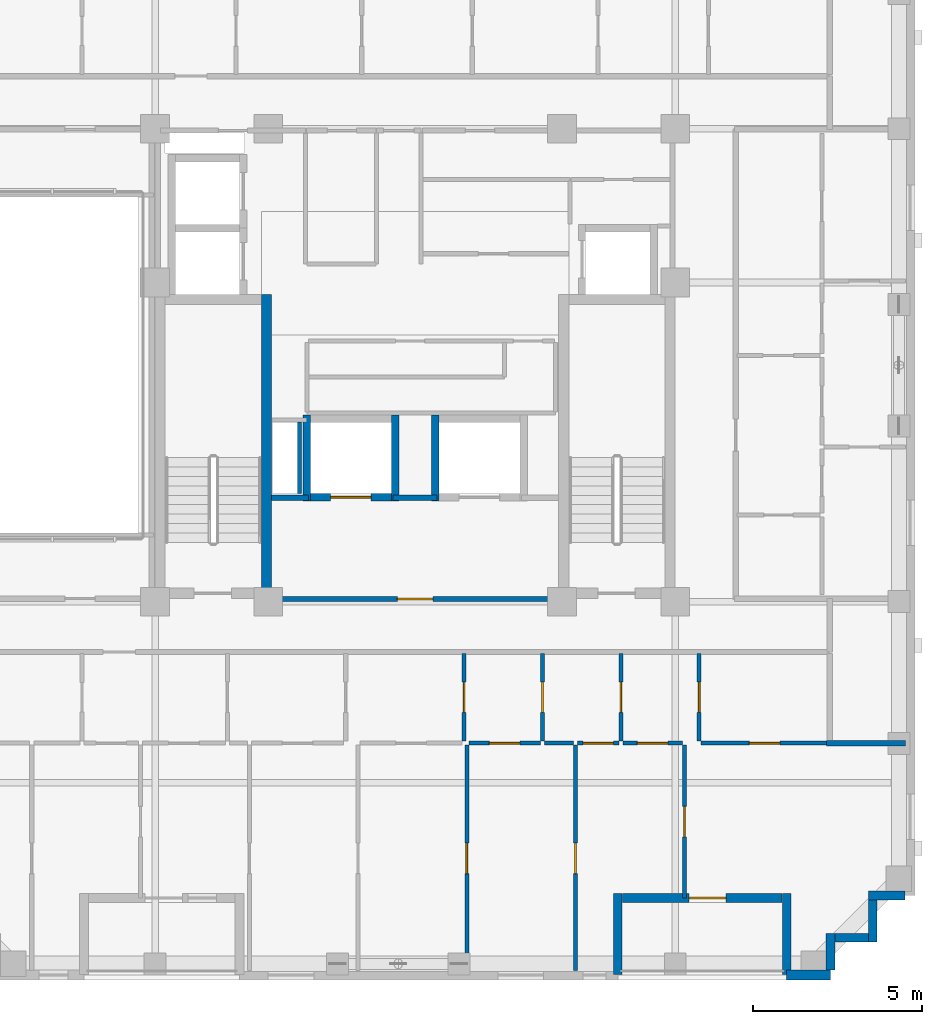
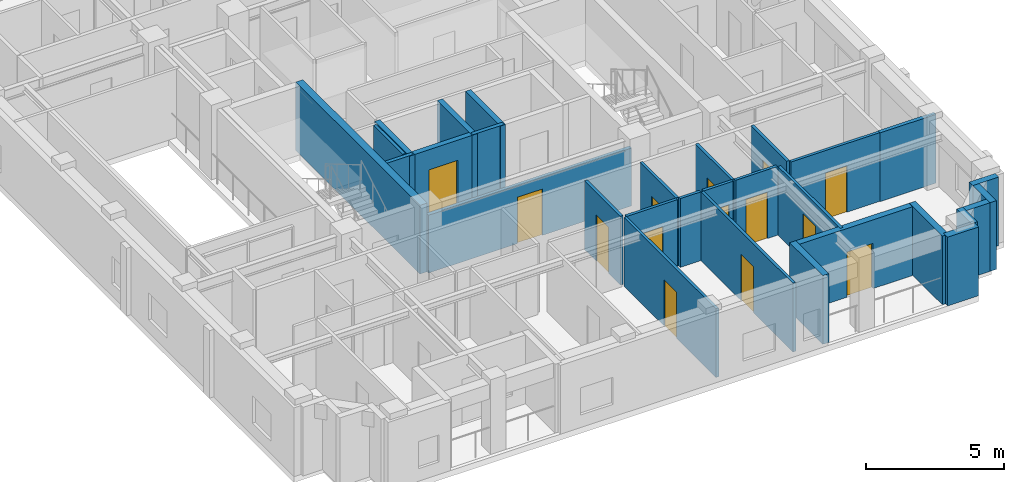
# One storey, part 5 of 13: 30 walls, 14 doors, 14 openings.
"""IFC4 building model written with IfcOpenShell, lengths in metres."""

from ifc_helpers import new_model, si_unit, derived_unit, direction, frame, frame_2d, origin, place, context, subcontext, project, spatial, rectangle, extrude, material, layer, layer_set, type_object, element, fill, save


model = new_model("IFC4")

# Units and contexts
model_context = context("Model", 3, precision=1e-05, world=origin(), true_north=direction((0.0, 1.0)))
body_context = subcontext(model_context, "Body", "Model", "MODEL_VIEW")
ifc_project = project(units=[si_unit("LENGTHUNIT", "METRE"), si_unit("AREAUNIT", "SQUARE_METRE"), si_unit("VOLUMEUNIT", "CUBIC_METRE"), si_unit("PLANEANGLEUNIT", "RADIAN"), si_unit("MASSUNIT", "GRAM", prefix="KILO"), derived_unit("THERMALTRANSMITTANCEUNIT", [(si_unit("MASSUNIT", "GRAM", prefix="KILO"), 1), (si_unit("TIMEUNIT", "SECOND"), -3), (si_unit("THERMODYNAMICTEMPERATUREUNIT", "KELVIN"), -1)])], contexts=[model_context])

# Site, building, storey
site_placement = place(None, origin())
site = spatial("IfcSite", under=ifc_project, at=site_placement, CompositionType="ELEMENT")
building_placement = place(site_placement, origin())
building = spatial("IfcBuilding", under=site, at=building_placement, Name="Korrvale Station Residences", CompositionType="ELEMENT")
storey_placement = place(building_placement, frame((0.0, 0.0, 181.0)))
storey = spatial("IfcBuildingStorey", under=building, at=storey_placement, Name="L52", CompositionType="ELEMENT", Elevation=181.0)

# Walls
ifc_material_1 = material(Name="Concrete C50/60", Category="concrete")
ifc_layer_1 = layer(ifc_material_1, 0.300048828125, Name="Concrete C50/60")
ifc_layer_set_1 = layer_set([ifc_layer_1], Name="Concrete C50/60")
wall_type_1 = type_object("IfcWallType", Name="WAL-CORE-300-C50", PredefinedType="SHEAR", material=ifc_layer_set_1)
wall_1_placement = place(storey_placement, frame((21.10009765625, 15.10009765625, 0.0), z_axis=(0.0, 0.0, 1.0), x_axis=(0.0, 1.0, 0.0)))
element("IfcWall", 1, at=wall_1_placement, inside=storey, type_object=wall_type_1, Name="L52 ST-1 Core Shear Wall East", PredefinedType="SHEAR", context=body_context, shape_type="SweptSolid", body=[
    extrude(rectangle(XDim=9.0, YDim=0.300048828125, at=frame_2d((4.5, 0.0))), origin(), (0.0, 0.0, 1.0), 3.0400390625),
])
ifc_material_2 = material(Name="Precast concrete C45/55", Category="concrete")
ifc_layer_2 = layer(ifc_material_2, 0.260009765625, Name="Precast concrete C45/55")
ifc_layer_set_2 = layer_set([ifc_layer_2], Name="Precast concrete C45/55")
wall_type_2 = type_object("IfcWallType", Name="WAL-EXT-LOG260", PredefinedType="SOLIDWALL", material=ifc_layer_set_2)
wall_2_placement = place(storey_placement, frame((36.5, 3.9599609375, 0.0), z_axis=(0.0, 0.0, 1.0), x_axis=(0.0, 1.0, 0.0)))
element("IfcWall", 2, at=wall_2_placement, inside=storey, type_object=wall_type_2, Name="L52 Recessed Loggia Wall BAL-L52-S2-L", PredefinedType="SOLIDWALL", context=body_context, shape_type="SweptSolid", body=[
    extrude(rectangle(XDim=2.400146484375, YDim=0.260009765625, at=frame_2d((1.2001953125, 0.0))), origin(), (0.0, 0.0, 1.0), 3.0400390625),
])

# Wall, opening, door
wall_3_placement = place(storey_placement, frame((36.365966796875, 6.22998046875, 0.0), z_axis=(0.0, 0.0, 1.0), x_axis=(-1.0, 0.0, 0.0)))
wall_3 = element("IfcWall", 3, at=wall_3_placement, inside=storey, type_object=wall_type_2, Name="L52 Recessed Loggia Wall BAL-L52-S2-B", PredefinedType="SOLIDWALL", context=body_context, shape_type="SweptSolid", body=[
    extrude(rectangle(XDim=4.73193359375, YDim=0.260009765625, at=frame_2d((2.365966796875, 0.0))), origin(), (0.0, 0.0, 1.0), 3.0400390625),
])
opening_1_placement = place(wall_3_placement, frame((1.656005859375, 0.0, 0.0)))
opening_1 = element("IfcOpeningElement", 4, at=opening_1_placement, cuts=wall_3, Name="Opening BD-01", PredefinedType="OPENING", context=body_context, shape_type="SweptSolid", body=[
    extrude(rectangle(XDim=1.10009765625, YDim=2.0, at=frame_2d((0.550048828125, 1.0))), frame((0.0, 0.14013671875, 0.0), z_axis=(0.0, -1.0, 0.0), x_axis=(1.0, 0.0, 0.0)), (0.0, 0.0, 1.0), 0.280029296875),
])
ifc_material_3 = material(Name="Exterior thermally broken aluminium glazed balcony door", Category="aluminium")
door_type_1 = type_object("IfcDoorType", Name="DR-EXT-BAL", OperationType="NOTDEFINED", PredefinedType="DOOR", material=ifc_material_3)
door_1_placement = place(opening_1_placement, origin())
door_1 = element("IfcDoor", 5, at=door_1_placement, inside=storey, type_object=door_type_1, Name="L52 Loggia Balcony Door BAL-L52-S2", OperationType="SINGLE_SWING_RIGHT", OverallHeight=2.0, OverallWidth=1.10009765625, PredefinedType="DOOR", context=body_context, shape_type="SweptSolid", body=[
    extrude(rectangle(XDim=1.10009765625, YDim=2.0, at=frame_2d((0.550048828125, 1.0))), frame((0.0, 0.02490234375, 0.0), z_axis=(0.0, -1.0, 0.0), x_axis=(1.0, 0.0, 0.0)), (0.0, 0.0, 1.0), 0.050048828125),
])
fill(opening_1, door_1)

# Walls
wall_4_placement = place(storey_placement, frame((31.5, 6.360107421875, 0.0), z_axis=(0.0, 0.0, 1.0), x_axis=(0.0, -1.0, 0.0)))
element("IfcWall", 6, at=wall_4_placement, inside=storey, type_object=wall_type_2, Name="L52 Recessed Loggia Wall BAL-L52-S2-R", PredefinedType="SOLIDWALL", context=body_context, shape_type="SweptSolid", body=[
    extrude(rectangle(XDim=2.400146484375, YDim=0.260009765625, at=frame_2d((1.2001953125, 0.0))), origin(), (0.0, 0.0, 1.0), 3.0400390625),
])
wall_5_placement = place(storey_placement, frame((39.998046875, 6.300048828125, 0.0), z_axis=(0.0, 0.0, 1.0), x_axis=(-1.0, 0.0, 0.0)))
element("IfcWall", 7, at=wall_5_placement, inside=storey, type_object=wall_type_2, Name="L52 Serrated Corner Precast Step SE-1", PredefinedType="SOLIDWALL", context=body_context, shape_type="SweptSolid", body=[
    extrude(rectangle(XDim=1.078125, YDim=0.260009765625, at=frame_2d((0.5390625, 0.0))), origin(), (0.0, 0.0, 1.0), 3.0400390625),
])
wall_6_placement = place(storey_placement, frame((39.050048828125, 6.16796875, 0.0), z_axis=(0.0, 0.0, 1.0), x_axis=(0.0, -1.0, 0.0)))
element("IfcWall", 8, at=wall_6_placement, inside=storey, type_object=wall_type_2, Name="L52 Serrated Corner Precast Step SE-2", PredefinedType="SOLIDWALL", context=body_context, shape_type="SweptSolid", body=[
    extrude(rectangle(XDim=1.248046875, YDim=0.260009765625, at=frame_2d((0.6240234375, 0.0))), origin(), (0.0, 0.0, 1.0), 3.0400390625),
])
wall_7_placement = place(storey_placement, frame((38.91796875, 5.050048828125, 0.0), z_axis=(0.0, 0.0, 1.0), x_axis=(-1.0, 0.0, 0.0)))
element("IfcWall", 9, at=wall_7_placement, inside=storey, type_object=wall_type_2, Name="L52 Serrated Corner Precast Step SE-3", PredefinedType="SOLIDWALL", context=body_context, shape_type="SweptSolid", body=[
    extrude(rectangle(XDim=0.986083984375, YDim=0.260009765625, at=frame_2d((0.4931640625, 0.0))), origin(), (0.0, 0.0, 1.0), 3.0400390625),
])
wall_8_placement = place(storey_placement, frame((37.800048828125, 5.179931640625, 0.0), z_axis=(0.0, 0.0, 1.0), x_axis=(0.0, -1.0, 0.0)))
element("IfcWall", 10, at=wall_8_placement, inside=storey, type_object=wall_type_2, Name="L52 Serrated Corner Precast Step SE-4", PredefinedType="SOLIDWALL", context=body_context, shape_type="SweptSolid", body=[
    extrude(rectangle(XDim=1.077880859375, YDim=0.260009765625, at=frame_2d((0.5390625, 0.0))), origin(), (0.0, 0.0, 1.0), 3.0400390625),
])
ifc_layer_3 = layer(ifc_material_2, 0.300048828125, Name="Precast concrete C45/55")
ifc_layer_set_3 = layer_set([ifc_layer_3], Name="Precast concrete C45/55")
wall_type_3 = type_object("IfcWallType", Name="WAL-EXT-PC300", PredefinedType="SOLIDWALL", material=ifc_layer_set_3)
wall_9_placement = place(storey_placement, frame((37.800048828125, 3.949951171875, 0.0), z_axis=(0.0, 0.0, 1.0), x_axis=(-1.0, 0.0, 0.0)))
element("IfcWall", 11, at=wall_9_placement, inside=storey, type_object=wall_type_3, Name="L52 South Exterior Precast Wall 1", PredefinedType="SOLIDWALL", context=body_context, shape_type="SweptSolid", body=[
    extrude(rectangle(XDim=1.300048828125, YDim=0.300048828125, at=frame_2d((0.64990234375, 0.0))), origin(), (0.0, 0.0, 1.0), 3.0400390625),
])
ifc_material_4 = material(Name="Acoustic steel-stud gypsum board partition", Category="steel")
ifc_layer_4 = layer(ifc_material_4, 0.1201171875, Name="Acoustic steel-stud gypsum board partition")
ifc_layer_set_4 = layer_set([ifc_layer_4], Name="Acoustic steel-stud gypsum board partition")
wall_type_4 = type_object("IfcWallType", Name="WAL-PART-125", PredefinedType="PARTITIONING", material=ifc_layer_set_4)
wall_10_placement = place(storey_placement, frame((22.080078125, 18.199951171875, 0.0), z_axis=(0.0, 0.0, 1.0), x_axis=(0.0, 1.0, 0.0)))
element("IfcWall", 12, at=wall_10_placement, inside=storey, type_object=wall_type_4, Name="L52 Core Partition CW-RSWT", PredefinedType="PARTITIONING", context=body_context, shape_type="SweptSolid", body=[
    extrude(rectangle(XDim=2.1201171875, YDim=0.1201171875, at=frame_2d((1.06005859375, 0.0))), origin(), (0.0, 0.0, 1.0), 3.0400390625),
])

# Wall, opening, door
wall_11_placement = place(storey_placement, frame((26.949951171875, 10.8701171875, 0.0), z_axis=(0.0, 0.0, 1.0), x_axis=(0.0, 1.0, 0.0)))
wall_11 = element("IfcWall", 13, at=wall_11_placement, inside=storey, type_object=wall_type_4, Name="L52 Suite Partition U01-V34", PredefinedType="PARTITIONING", context=body_context, shape_type="SweptSolid", body=[
    extrude(rectangle(XDim=2.599853515625, YDim=0.1201171875, at=frame_2d((1.2998046875, 0.0))), origin(), (0.0, 0.0, 1.0), 3.0400390625),
])
opening_2_placement = place(wall_11_placement, frame((0.85009765625, 0.0, 0.0)))
opening_2 = element("IfcOpeningElement", 14, at=opening_2_placement, cuts=wall_11, Name="Opening DI-900", PredefinedType="OPENING", context=body_context, shape_type="SweptSolid", body=[
    extrude(rectangle(XDim=0.89990234375, YDim=2.050048828125, at=frame_2d((0.449951171875, 1.02490234375))), frame((0.0, 0.070068359375, 0.0), z_axis=(0.0, -1.0, 0.0), x_axis=(1.0, 0.0, 0.0)), (0.0, 0.0, 1.0), 0.14013671875),
])
ifc_material_5 = material(Name="Painted solid-core timber interior room door", Category="wood")
door_type_2 = type_object("IfcDoorType", Name="DR-INT-900", OperationType="NOTDEFINED", PredefinedType="DOOR", material=ifc_material_5)
door_2_placement = place(opening_2_placement, origin())
door_2 = element("IfcDoor", 15, at=door_2_placement, inside=storey, type_object=door_type_2, Name="L52 Studio Apartment L52-U01 Home Study Room Door", OperationType="SINGLE_SWING_LEFT", OverallHeight=2.050048828125, OverallWidth=0.89990234375, PredefinedType="DOOR", context=body_context, shape_type="SweptSolid", body=[
    extrude(rectangle(XDim=0.89990234375, YDim=2.050048828125, at=frame_2d((0.449951171875, 1.02490234375))), frame((0.0, 0.02490234375, 0.0), z_axis=(0.0, -1.0, 0.0), x_axis=(1.0, 0.0, 0.0)), (0.0, 0.0, 1.0), 0.050048828125),
])
fill(opening_2, door_2)

wall_12_placement = place(storey_placement, frame((29.27001953125, 10.8701171875, 0.0), z_axis=(0.0, 0.0, 1.0), x_axis=(0.0, 1.0, 0.0)))
wall_12 = element("IfcWall", 16, at=wall_12_placement, inside=storey, type_object=wall_type_4, Name="L52 Suite Partition U01-V45", PredefinedType="PARTITIONING", context=body_context, shape_type="SweptSolid", body=[
    extrude(rectangle(XDim=2.599853515625, YDim=0.1201171875, at=frame_2d((1.2998046875, 0.0))), origin(), (0.0, 0.0, 1.0), 3.0400390625),
])
opening_3_placement = place(wall_12_placement, frame((0.85009765625, 0.0, 0.0)))
opening_3 = element("IfcOpeningElement", 17, at=opening_3_placement, cuts=wall_12, Name="Opening DI-900", PredefinedType="OPENING", context=body_context, shape_type="SweptSolid", body=[
    extrude(rectangle(XDim=0.89990234375, YDim=2.050048828125, at=frame_2d((0.449951171875, 1.02490234375))), frame((0.0, 0.070068359375, 0.0), z_axis=(0.0, -1.0, 0.0), x_axis=(1.0, 0.0, 0.0)), (0.0, 0.0, 1.0), 0.14013671875),
])
door_3_placement = place(opening_3_placement, origin())
door_3 = element("IfcDoor", 18, at=door_3_placement, inside=storey, type_object=door_type_2, Name="L52 Studio Apartment L52-U01 Wardrobe Storage Room Door", OperationType="SINGLE_SWING_LEFT", OverallHeight=2.050048828125, OverallWidth=0.89990234375, PredefinedType="DOOR", context=body_context, shape_type="SweptSolid", body=[
    extrude(rectangle(XDim=0.89990234375, YDim=2.050048828125, at=frame_2d((0.449951171875, 1.02490234375))), frame((0.0, 0.02490234375, 0.0), z_axis=(0.0, -1.0, 0.0), x_axis=(1.0, 0.0, 0.0)), (0.0, 0.0, 1.0), 0.050048828125),
])
fill(opening_3, door_3)

wall_13_placement = place(storey_placement, frame((27.090087890625, 10.81005859375, 0.0), z_axis=(0.0, 0.0, 1.0), x_axis=(1.0, 0.0, 0.0)))
wall_13 = element("IfcWall", 19, at=wall_13_placement, inside=storey, type_object=wall_type_4, Name="L52 Suite Partition U01-H413", PredefinedType="PARTITIONING", context=body_context, shape_type="SweptSolid", body=[
    extrude(rectangle(XDim=2.119873046875, YDim=0.1201171875, at=frame_2d((1.06005859375, 0.0))), origin(), (0.0, 0.0, 1.0), 3.0400390625),
])
opening_4_placement = place(wall_13_placement, frame((0.610107421875, 0.0, 0.0)))
opening_4 = element("IfcOpeningElement", 20, at=opening_4_placement, cuts=wall_13, Name="Opening DI-900", PredefinedType="OPENING", context=body_context, shape_type="SweptSolid", body=[
    extrude(rectangle(XDim=0.89990234375, YDim=2.050048828125, at=frame_2d((0.449951171875, 1.02490234375))), frame((0.0, 0.070068359375, 0.0), z_axis=(0.0, -1.0, 0.0), x_axis=(1.0, 0.0, 0.0)), (0.0, 0.0, 1.0), 0.14013671875),
])
door_4_placement = place(opening_4_placement, origin())
door_4 = element("IfcDoor", 21, at=door_4_placement, inside=storey, type_object=door_type_2, Name="L52 Studio Apartment L52-U01 Wardrobe Storage Room Door", OperationType="SINGLE_SWING_RIGHT", OverallHeight=2.050048828125, OverallWidth=0.89990234375, PredefinedType="DOOR", context=body_context, shape_type="SweptSolid", body=[
    extrude(rectangle(XDim=0.89990234375, YDim=2.050048828125, at=frame_2d((0.449951171875, 1.02490234375))), frame((0.0, 0.02490234375, 0.0), z_axis=(0.0, -1.0, 0.0), x_axis=(1.0, 0.0, 0.0)), (0.0, 0.0, 1.0), 0.050048828125),
])
fill(opening_4, door_4)

wall_14_placement = place(storey_placement, frame((31.590087890625, 10.8701171875, 0.0), z_axis=(0.0, 0.0, 1.0), x_axis=(0.0, 1.0, 0.0)))
wall_14 = element("IfcWall", 22, at=wall_14_placement, inside=storey, type_object=wall_type_4, Name="L52 Suite Partition U01-V56", PredefinedType="PARTITIONING", context=body_context, shape_type="SweptSolid", body=[
    extrude(rectangle(XDim=2.599853515625, YDim=0.1201171875, at=frame_2d((1.2998046875, 0.0))), origin(), (0.0, 0.0, 1.0), 3.0400390625),
])
opening_5_placement = place(wall_14_placement, frame((0.85009765625, 0.0, 0.0)))
opening_5 = element("IfcOpeningElement", 23, at=opening_5_placement, cuts=wall_14, Name="Opening DI-900", PredefinedType="OPENING", context=body_context, shape_type="SweptSolid", body=[
    extrude(rectangle(XDim=0.89990234375, YDim=2.050048828125, at=frame_2d((0.449951171875, 1.02490234375))), frame((0.0, 0.070068359375, 0.0), z_axis=(0.0, -1.0, 0.0), x_axis=(1.0, 0.0, 0.0)), (0.0, 0.0, 1.0), 0.14013671875),
])
door_5_placement = place(opening_5_placement, origin())
door_5 = element("IfcDoor", 24, at=door_5_placement, inside=storey, type_object=door_type_2, Name="L52 Studio Apartment L52-U01 Wardrobe Storage Room Door", OperationType="SINGLE_SWING_LEFT", OverallHeight=2.050048828125, OverallWidth=0.89990234375, PredefinedType="DOOR", context=body_context, shape_type="SweptSolid", body=[
    extrude(rectangle(XDim=0.89990234375, YDim=2.050048828125, at=frame_2d((0.449951171875, 1.02490234375))), frame((0.0, 0.02490234375, 0.0), z_axis=(0.0, -1.0, 0.0), x_axis=(1.0, 0.0, 0.0)), (0.0, 0.0, 1.0), 0.050048828125),
])
fill(opening_5, door_5)

# Wall
wall_15_placement = place(storey_placement, frame((29.330078125, 10.81005859375, 0.0), z_axis=(0.0, 0.0, 1.0), x_axis=(1.0, 0.0, 0.0)))
element("IfcWall", 25, at=wall_15_placement, inside=storey, type_object=wall_type_4, Name="L52 Suite Partition U01-H513", PredefinedType="PARTITIONING", context=body_context, shape_type="SweptSolid", body=[
    extrude(rectangle(XDim=0.85986328125, YDim=0.1201171875, at=frame_2d((0.429931640625, 0.0))), origin(), (0.0, 0.0, 1.0), 3.0400390625),
])

# Wall, opening, door
wall_16_placement = place(storey_placement, frame((30.31005859375, 10.81005859375, 0.0), z_axis=(0.0, 0.0, 1.0), x_axis=(1.0, 0.0, 0.0)))
wall_16 = element("IfcWall", 26, at=wall_16_placement, inside=storey, type_object=wall_type_4, Name="L52 Suite Partition U01-H514", PredefinedType="PARTITIONING", context=body_context, shape_type="SweptSolid", body=[
    extrude(rectangle(XDim=1.219970703125, YDim=0.1201171875, at=frame_2d((0.60986328125, 0.0))), origin(), (0.0, 0.0, 1.0), 3.0400390625),
])
opening_6_placement = place(wall_16_placement, frame((0.159912109375, 0.0, 0.0)))
opening_6 = element("IfcOpeningElement", 27, at=opening_6_placement, cuts=wall_16, Name="Opening DI-900", PredefinedType="OPENING", context=body_context, shape_type="SweptSolid", body=[
    extrude(rectangle(XDim=0.89990234375, YDim=2.050048828125, at=frame_2d((0.449951171875, 1.02490234375))), frame((0.0, 0.070068359375, 0.0), z_axis=(0.0, -1.0, 0.0), x_axis=(1.0, 0.0, 0.0)), (0.0, 0.0, 1.0), 0.14013671875),
])
door_6_placement = place(opening_6_placement, origin())
door_6 = element("IfcDoor", 28, at=door_6_placement, inside=storey, type_object=door_type_2, Name="L52 Studio Apartment L52-U01 Wardrobe Storage Room Door", OperationType="SINGLE_SWING_RIGHT", OverallHeight=2.050048828125, OverallWidth=0.89990234375, PredefinedType="DOOR", context=body_context, shape_type="SweptSolid", body=[
    extrude(rectangle(XDim=0.89990234375, YDim=2.050048828125, at=frame_2d((0.449951171875, 1.02490234375))), frame((0.0, 0.02490234375, 0.0), z_axis=(0.0, -1.0, 0.0), x_axis=(1.0, 0.0, 0.0)), (0.0, 0.0, 1.0), 0.050048828125),
])
fill(opening_6, door_6)

wall_17_placement = place(storey_placement, frame((33.909912109375, 10.8701171875, 0.0), z_axis=(0.0, 0.0, 1.0), x_axis=(0.0, 1.0, 0.0)))
wall_17 = element("IfcWall", 29, at=wall_17_placement, inside=storey, type_object=wall_type_4, Name="L52 Suite Partition U01-V67", PredefinedType="PARTITIONING", context=body_context, shape_type="SweptSolid", body=[
    extrude(rectangle(XDim=2.599853515625, YDim=0.1201171875, at=frame_2d((1.2998046875, 0.0))), origin(), (0.0, 0.0, 1.0), 3.0400390625),
])
opening_7_placement = place(wall_17_placement, frame((0.85009765625, 0.0, 0.0)))
opening_7 = element("IfcOpeningElement", 30, at=opening_7_placement, cuts=wall_17, Name="Opening DI-900", PredefinedType="OPENING", context=body_context, shape_type="SweptSolid", body=[
    extrude(rectangle(XDim=0.89990234375, YDim=2.050048828125, at=frame_2d((0.449951171875, 1.02490234375))), frame((0.0, 0.070068359375, 0.0), z_axis=(0.0, -1.0, 0.0), x_axis=(1.0, 0.0, 0.0)), (0.0, 0.0, 1.0), 0.14013671875),
])
door_7_placement = place(opening_7_placement, origin())
door_7 = element("IfcDoor", 31, at=door_7_placement, inside=storey, type_object=door_type_2, Name="L52 Studio Apartment L52-U01 Wardrobe Storage Room Door", OperationType="SINGLE_SWING_LEFT", OverallHeight=2.050048828125, OverallWidth=0.89990234375, PredefinedType="DOOR", context=body_context, shape_type="SweptSolid", body=[
    extrude(rectangle(XDim=0.89990234375, YDim=2.050048828125, at=frame_2d((0.449951171875, 1.02490234375))), frame((0.0, 0.02490234375, 0.0), z_axis=(0.0, -1.0, 0.0), x_axis=(1.0, 0.0, 0.0)), (0.0, 0.0, 1.0), 0.050048828125),
])
fill(opening_7, door_7)

wall_18_placement = place(storey_placement, frame((31.64990234375, 10.81005859375, 0.0), z_axis=(0.0, 0.0, 1.0), x_axis=(1.0, 0.0, 0.0)))
wall_18 = element("IfcWall", 32, at=wall_18_placement, inside=storey, type_object=wall_type_4, Name="L52 Suite Partition U01-H614", PredefinedType="PARTITIONING", context=body_context, shape_type="SweptSolid", body=[
    extrude(rectangle(XDim=1.760009765625, YDim=0.1201171875, at=frame_2d((0.8798828125, 0.0))), origin(), (0.0, 0.0, 1.0), 3.0400390625),
])
opening_8_placement = place(wall_18_placement, frame((0.429931640625, 0.0, 0.0)))
opening_8 = element("IfcOpeningElement", 33, at=opening_8_placement, cuts=wall_18, Name="Opening DI-900", PredefinedType="OPENING", context=body_context, shape_type="SweptSolid", body=[
    extrude(rectangle(XDim=0.89990234375, YDim=2.050048828125, at=frame_2d((0.449951171875, 1.02490234375))), frame((0.0, 0.070068359375, 0.0), z_axis=(0.0, -1.0, 0.0), x_axis=(1.0, 0.0, 0.0)), (0.0, 0.0, 1.0), 0.14013671875),
])
door_8_placement = place(opening_8_placement, origin())
door_8 = element("IfcDoor", 34, at=door_8_placement, inside=storey, type_object=door_type_2, Name="L52 Studio Apartment L52-U01 Wardrobe Storage Room Door", OperationType="SINGLE_SWING_RIGHT", OverallHeight=2.050048828125, OverallWidth=0.89990234375, PredefinedType="DOOR", context=body_context, shape_type="SweptSolid", body=[
    extrude(rectangle(XDim=0.89990234375, YDim=2.050048828125, at=frame_2d((0.449951171875, 1.02490234375))), frame((0.0, 0.02490234375, 0.0), z_axis=(0.0, -1.0, 0.0), x_axis=(1.0, 0.0, 0.0)), (0.0, 0.0, 1.0), 0.050048828125),
])
fill(opening_8, door_8)

wall_19_placement = place(storey_placement, frame((33.969970703125, 10.81005859375, 0.0), z_axis=(0.0, 0.0, 1.0), x_axis=(1.0, 0.0, 0.0)))
wall_19 = element("IfcWall", 35, at=wall_19_placement, inside=storey, type_object=wall_type_4, Name="L52 Suite Partition U01-H715", PredefinedType="PARTITIONING", context=body_context, shape_type="SweptSolid", body=[
    extrude(rectangle(XDim=3.75, YDim=0.1201171875, at=frame_2d((1.875, 0.0))), origin(), (0.0, 0.0, 1.0), 3.0400390625),
])
opening_9_placement = place(wall_19_placement, frame((1.425048828125, 0.0, 0.0)))
opening_9 = element("IfcOpeningElement", 36, at=opening_9_placement, cuts=wall_19, Name="Opening DI-900", PredefinedType="OPENING", context=body_context, shape_type="SweptSolid", body=[
    extrude(rectangle(XDim=0.89990234375, YDim=2.050048828125, at=frame_2d((0.449951171875, 1.02490234375))), frame((0.0, 0.070068359375, 0.0), z_axis=(0.0, -1.0, 0.0), x_axis=(1.0, 0.0, 0.0)), (0.0, 0.0, 1.0), 0.14013671875),
])
door_9_placement = place(opening_9_placement, origin())
door_9 = element("IfcDoor", 37, at=door_9_placement, inside=storey, type_object=door_type_2, Name="L52 Studio Apartment L52-U01 Utility and Laundry Room Door", OperationType="SINGLE_SWING_LEFT", OverallHeight=2.050048828125, OverallWidth=0.89990234375, PredefinedType="DOOR", context=body_context, shape_type="SweptSolid", body=[
    extrude(rectangle(XDim=0.89990234375, YDim=2.050048828125, at=frame_2d((0.449951171875, 1.02490234375))), frame((0.0, 0.02490234375, 0.0), z_axis=(0.0, -1.0, 0.0), x_axis=(1.0, 0.0, 0.0)), (0.0, 0.0, 1.0), 0.050048828125),
])
fill(opening_9, door_9)

wall_20_placement = place(storey_placement, frame((27.030029296875, 4.080078125, 0.0), z_axis=(0.0, 0.0, 1.0), x_axis=(0.0, 1.0, 0.0)))
wall_20 = element("IfcWall", 38, at=wall_20_placement, inside=storey, type_object=wall_type_4, Name="L52 Suite Partition U01-V1213", PredefinedType="PARTITIONING", context=body_context, shape_type="SweptSolid", body=[
    extrude(rectangle(XDim=6.669921875, YDim=0.1201171875, at=frame_2d((3.3349609375, 0.0))), origin(), (0.0, 0.0, 1.0), 3.0400390625),
])
opening_10_placement = place(wall_20_placement, frame((2.8701171875, 0.0, 0.0)))
opening_10 = element("IfcOpeningElement", 39, at=opening_10_placement, cuts=wall_20, Name="Opening DI-900", PredefinedType="OPENING", context=body_context, shape_type="SweptSolid", body=[
    extrude(rectangle(XDim=0.89990234375, YDim=2.050048828125, at=frame_2d((0.449951171875, 1.02490234375))), frame((0.0, 0.070068359375, 0.0), z_axis=(0.0, -1.0, 0.0), x_axis=(1.0, 0.0, 0.0)), (0.0, 0.0, 1.0), 0.14013671875),
])
door_10_placement = place(opening_10_placement, origin())
door_10 = element("IfcDoor", 40, at=door_10_placement, inside=storey, type_object=door_type_2, Name="L52 Studio Apartment L52-U01 Walk-In Wardrobe Door", OperationType="SINGLE_SWING_RIGHT", OverallHeight=2.050048828125, OverallWidth=0.89990234375, PredefinedType="DOOR", context=body_context, shape_type="SweptSolid", body=[
    extrude(rectangle(XDim=0.89990234375, YDim=2.050048828125, at=frame_2d((0.449951171875, 1.02490234375))), frame((0.0, 0.02490234375, 0.0), z_axis=(0.0, -1.0, 0.0), x_axis=(1.0, 0.0, 0.0)), (0.0, 0.0, 1.0), 0.050048828125),
])
fill(opening_10, door_10)

wall_21_placement = place(storey_placement, frame((30.25, 4.080078125, 0.0), z_axis=(0.0, 0.0, 1.0), x_axis=(0.0, 1.0, 0.0)))
wall_21 = element("IfcWall", 41, at=wall_21_placement, inside=storey, type_object=wall_type_4, Name="L52 Suite Partition U01-V1314", PredefinedType="PARTITIONING", context=body_context, shape_type="SweptSolid", body=[
    extrude(rectangle(XDim=6.669921875, YDim=0.1201171875, at=frame_2d((3.3349609375, 0.0))), origin(), (0.0, 0.0, 1.0), 3.0400390625),
])
opening_11_placement = place(wall_21_placement, frame((2.8701171875, 0.0, 0.0)))
opening_11 = element("IfcOpeningElement", 42, at=opening_11_placement, cuts=wall_21, Name="Opening DI-900", PredefinedType="OPENING", context=body_context, shape_type="SweptSolid", body=[
    extrude(rectangle(XDim=0.89990234375, YDim=2.050048828125, at=frame_2d((0.449951171875, 1.02490234375))), frame((0.0, 0.070068359375, 0.0), z_axis=(0.0, -1.0, 0.0), x_axis=(1.0, 0.0, 0.0)), (0.0, 0.0, 1.0), 0.14013671875),
])
door_11_placement = place(opening_11_placement, origin())
door_11 = element("IfcDoor", 43, at=door_11_placement, inside=storey, type_object=door_type_2, Name="L52 Studio Apartment L52-U01 Formal Dining Room Door", OperationType="SINGLE_SWING_LEFT", OverallHeight=2.050048828125, OverallWidth=0.89990234375, PredefinedType="DOOR", context=body_context, shape_type="SweptSolid", body=[
    extrude(rectangle(XDim=0.89990234375, YDim=2.050048828125, at=frame_2d((0.449951171875, 1.02490234375))), frame((0.0, 0.02490234375, 0.0), z_axis=(0.0, -1.0, 0.0), x_axis=(1.0, 0.0, 0.0)), (0.0, 0.0, 1.0), 0.050048828125),
])
fill(opening_11, door_11)

wall_22_placement = place(storey_placement, frame((33.469970703125, 6.22998046875, 0.0), z_axis=(0.0, 0.0, 1.0), x_axis=(0.0, 1.0, 0.0)))
wall_22 = element("IfcWall", 44, at=wall_22_placement, inside=storey, type_object=wall_type_4, Name="L52 Suite Partition U01-V1415", PredefinedType="PARTITIONING", context=body_context, shape_type="SweptSolid", body=[
    extrude(rectangle(XDim=4.52001953125, YDim=0.1201171875, at=frame_2d((2.260009765625, 0.0))), origin(), (0.0, 0.0, 1.0), 3.0400390625),
])
opening_12_placement = place(wall_22_placement, frame((1.81005859375, 0.0, 0.0)))
opening_12 = element("IfcOpeningElement", 45, at=opening_12_placement, cuts=wall_22, Name="Opening DI-900", PredefinedType="OPENING", context=body_context, shape_type="SweptSolid", body=[
    extrude(rectangle(XDim=0.89990234375, YDim=2.050048828125, at=frame_2d((0.449951171875, 1.02490234375))), frame((0.0, 0.070068359375, 0.0), z_axis=(0.0, -1.0, 0.0), x_axis=(1.0, 0.0, 0.0)), (0.0, 0.0, 1.0), 0.14013671875),
])
door_12_placement = place(opening_12_placement, origin())
door_12 = element("IfcDoor", 46, at=door_12_placement, inside=storey, type_object=door_type_2, Name="L52 Studio Apartment L52-U01 Formal Dining Room Door", OperationType="SINGLE_SWING_RIGHT", OverallHeight=2.050048828125, OverallWidth=0.89990234375, PredefinedType="DOOR", context=body_context, shape_type="SweptSolid", body=[
    extrude(rectangle(XDim=0.89990234375, YDim=2.050048828125, at=frame_2d((0.449951171875, 1.02490234375))), frame((0.0, 0.02490234375, 0.0), z_axis=(0.0, -1.0, 0.0), x_axis=(1.0, 0.0, 0.0)), (0.0, 0.0, 1.0), 0.050048828125),
])
fill(opening_12, door_12)

ifc_material_6 = material(Name="Fire-rated twin-stud gypsum and mineral wool shaftwall assembly", Category="gypsum")
ifc_layer_5 = layer(ifc_material_6, 0.159912109375, Name="Fire-rated twin-stud gypsum and mineral wool shaftwall assembly")
ifc_layer_set_5 = layer_set([ifc_layer_5], Name="Fire-rated twin-stud gypsum and mineral wool shaftwall assembly")
wall_type_5 = type_object("IfcWallType", Name="WAL-PART-200", PredefinedType="PARTITIONING", material=ifc_layer_set_5)
wall_23_placement = place(storey_placement, frame((21.25, 15.080078125, 0.0), z_axis=(0.0, 0.0, 1.0), x_axis=(1.0, 0.0, 0.0)))
wall_23 = element("IfcWall", 47, at=wall_23_placement, inside=storey, type_object=wall_type_5, Name="L52 Core Partition CW-FFL-S", PredefinedType="PARTITIONING", context=body_context, shape_type="SweptSolid", body=[
    extrude(rectangle(XDim=8.5, YDim=0.159912109375, at=frame_2d((4.25, 0.0))), origin(), (0.0, 0.0, 1.0), 2.555908203125),
])
opening_13_placement = place(wall_23_placement, frame((3.72509765625, 0.0, 0.0)))
opening_13 = element("IfcOpeningElement", 48, at=opening_13_placement, cuts=wall_23, Name="Opening FD-1050", PredefinedType="OPENING", context=body_context, shape_type="SweptSolid", body=[
    extrude(rectangle(XDim=1.050048828125, YDim=2.050048828125, at=frame_2d((0.52490234375, 1.02490234375))), frame((0.0, 0.08984375, 0.0), z_axis=(0.0, -1.0, 0.0), x_axis=(1.0, 0.0, 0.0)), (0.0, 0.0, 1.0), 0.179931640625),
])
ifc_material_7 = material(Name="Fire-rated mineral-core timber lobby door", Category="wood")
door_type_3 = type_object("IfcDoorType", Name="DR-CORE-1050", OperationType="NOTDEFINED", PredefinedType="DOOR", material=ifc_material_7)
door_13_placement = place(opening_13_placement, origin())
door_13 = element("IfcDoor", 49, at=door_13_placement, inside=storey, type_object=door_type_3, Name="L52 Firefighting Lobby Entry Door", OperationType="SINGLE_SWING_RIGHT", OverallHeight=2.050048828125, OverallWidth=1.050048828125, PredefinedType="DOOR", context=body_context, shape_type="SweptSolid", body=[
    extrude(rectangle(XDim=1.050048828125, YDim=2.050048828125, at=frame_2d((0.52490234375, 1.02490234375))), frame((0.0, 0.02490234375, 0.0), z_axis=(0.0, -1.0, 0.0), x_axis=(1.0, 0.0, 0.0)), (0.0, 0.0, 1.0), 0.050048828125),
])
fill(opening_13, door_13)

# Walls
wall_24_placement = place(storey_placement, frame((21.25, 18.080078125, 0.0), z_axis=(0.0, 0.0, 1.0), x_axis=(1.0, 0.0, 0.0)))
element("IfcWall", 50, at=wall_24_placement, inside=storey, type_object=wall_type_5, Name="L52 Core Partition CW-FFL-N1", PredefinedType="PARTITIONING", context=body_context, shape_type="SweptSolid", body=[
    extrude(rectangle(XDim=1.10009765625, YDim=0.159912109375, at=frame_2d((0.550048828125, 0.0))), origin(), (0.0, 0.0, 1.0), 3.0400390625),
])
wall_25_placement = place(storey_placement, frame((24.85009765625, 18.080078125, 0.0), z_axis=(0.0, 0.0, 1.0), x_axis=(1.0, 0.0, 0.0)))
element("IfcWall", 51, at=wall_25_placement, inside=storey, type_object=wall_type_5, Name="L52 Core Partition CW-FFL-N2", PredefinedType="PARTITIONING", context=body_context, shape_type="SweptSolid", body=[
    extrude(rectangle(XDim=1.2998046875, YDim=0.159912109375, at=frame_2d((0.64990234375, 0.0))), origin(), (0.0, 0.0, 1.0), 3.0400390625),
])
wall_26_placement = place(storey_placement, frame((37.679931640625, 10.81005859375, 0.0), z_axis=(0.0, 0.0, 1.0), x_axis=(1.0, 0.0, 0.0)))
element("IfcWall", 52, at=wall_26_placement, inside=storey, type_object=wall_type_5, Name="L52 Corner Step Wall U01-R", PredefinedType="PARTITIONING", context=body_context, shape_type="SweptSolid", body=[
    extrude(rectangle(XDim=2.340087890625, YDim=0.159912109375, at=frame_2d((1.169921875, 0.0))), origin(), (0.0, 0.0, 1.0), 3.0400390625),
])

# Wall, opening, door
ifc_layer_6 = layer(ifc_material_1, 0.219970703125, Name="Concrete C50/60")
ifc_layer_set_6 = layer_set([ifc_layer_6], Name="Concrete C50/60")
wall_type_6 = type_object("IfcWallType", Name="WAL-SHAFT-220-C50", PredefinedType="SHEAR", material=ifc_layer_set_6)
wall_27_placement = place(storey_placement, frame((22.39990234375, 18.090087890625, 0.0), z_axis=(0.0, 0.0, 1.0), x_axis=(1.0, 0.0, 0.0)))
wall_27 = element("IfcWall", 53, at=wall_27_placement, inside=storey, type_object=wall_type_6, Name="L52 Elevator FFL-1 Hoistway Wall South", PredefinedType="SHEAR", context=body_context, shape_type="SweptSolid", body=[
    extrude(rectangle(XDim=2.400146484375, YDim=0.219970703125, at=frame_2d((1.2001953125, 0.0))), origin(), (0.0, 0.0, 1.0), 3.0400390625),
])
opening_14_placement = place(wall_27_placement, frame((0.60009765625, 0.0, 0.0)))
opening_14 = element("IfcOpeningElement", 54, at=opening_14_placement, cuts=wall_27, Name="Opening LD-FF1200", PredefinedType="OPENING", context=body_context, shape_type="SweptSolid", body=[
    extrude(rectangle(XDim=1.199951171875, YDim=2.14990234375, at=frame_2d((0.60009765625, 1.074951171875))), frame((0.0, 0.1201171875, 0.0), z_axis=(0.0, -1.0, 0.0), x_axis=(1.0, 0.0, 0.0)), (0.0, 0.0, 1.0), 0.239990234375),
])
ifc_material_8 = material(Name="Stainless-steel firefighter elevator landing sliding door", Category="steel")
door_type_4 = type_object("IfcDoorType", Name="DR-LIFT-FF1200", OperationType="SLIDING_TO_LEFT", PredefinedType="DOOR", material=ifc_material_8)
door_14_placement = place(opening_14_placement, origin())
door_14 = element("IfcDoor", 55, at=door_14_placement, inside=storey, type_object=door_type_4, Name="L52 Elevator FFL-1 Sliding Landing Door", OperationType="SLIDING_TO_LEFT", OverallHeight=2.14990234375, OverallWidth=1.199951171875, PredefinedType="DOOR", context=body_context, shape_type="SweptSolid", body=[
    extrude(rectangle(XDim=1.199951171875, YDim=2.14990234375, at=frame_2d((0.60009765625, 1.074951171875))), frame((0.0, 0.02490234375, 0.0), z_axis=(0.0, -1.0, 0.0), x_axis=(1.0, 0.0, 0.0)), (0.0, 0.0, 1.0), 0.050048828125),
])
fill(opening_14, door_14)

# Walls
for number, where, z_axis, x_axis, name in (
    (56, (22.2900390625, 17.97998046875, 0.0), (0.0, 0.0, 1.0), (0.0, 1.0, 0.0), "L52 Elevator FFL-1 Hoistway Wall West"),
    (57, (24.909912109375, 17.97998046875, 0.0), (0.0, 0.0, 1.0), (0.0, 1.0, 0.0), "L52 Elevator FFL-1 Hoistway Wall East"),
    (58, (26.090087890625, 17.97998046875, 0.0), (0.0, 0.0, 1.0), (0.0, 1.0, 0.0), "L52 Elevator FFL-2 Hoistway Wall West"),
):
    element("IfcWall", number, at=place(storey_placement, frame(where, z_axis=z_axis, x_axis=x_axis)), inside=storey, type_object=wall_type_6, Name=name, PredefinedType="SHEAR", context=body_context, shape_type="SweptSolid", body=[
        extrude(rectangle(XDim=2.5400390625, YDim=0.219970703125, at=frame_2d((1.27001953125, 0.0))), origin(), (0.0, 0.0, 1.0), 3.0400390625),
    ])

save(model, "model.ifc")
